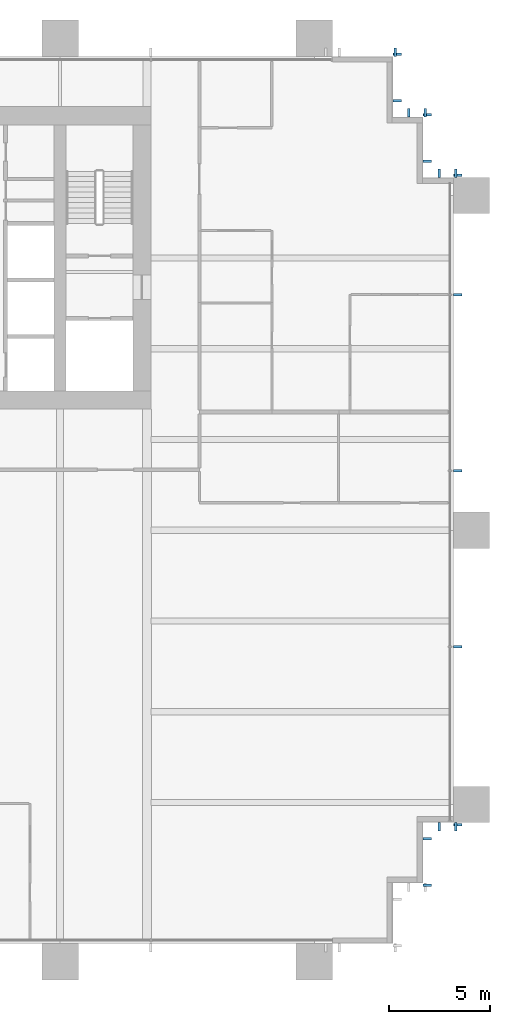
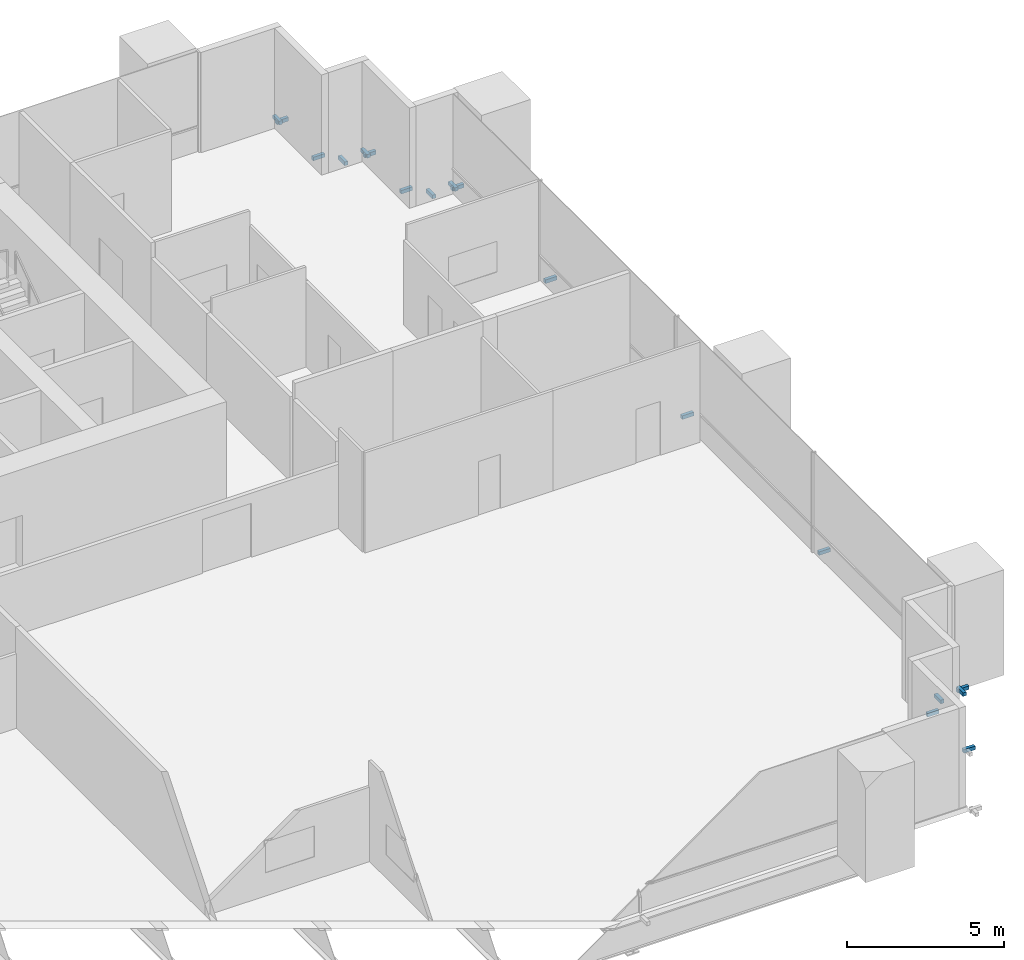
# One storey, part 16 of 17: 18 discrete accessories.
"""IFC4 building model written with IfcOpenShell, lengths in metres."""

from ifc_helpers import new_model, si_unit, direction, frame, origin, origin_2d, place, context, subcontext, project, spatial, rectangle, extrude, element, save


model = new_model("IFC4")

# Units and contexts
model_context = context("Model", 3, precision=1e-05, world=origin(), true_north=direction((0.0, 1.0)))
body_context = subcontext(model_context, "Body", "Model", "MODEL_VIEW")
ifc_project = project(units=[si_unit("LENGTHUNIT", "METRE"), si_unit("AREAUNIT", "SQUARE_METRE"), si_unit("VOLUMEUNIT", "CUBIC_METRE"), si_unit("PLANEANGLEUNIT", "RADIAN"), si_unit("MASSUNIT", "GRAM", prefix="KILO")], contexts=[model_context])

# Site, building, storey
site_placement = place(None, origin())
site = spatial("IfcSite", under=ifc_project, at=site_placement, CompositionType="ELEMENT")
building_placement = place(site_placement, origin())
building = spatial("IfcBuilding", under=site, at=building_placement, Name="Rattan Terrace Tower", CompositionType="ELEMENT")
storey_placement = place(building_placement, frame((0.0, 0.0, 48.800048828125)))
storey = spatial("IfcBuildingStorey", under=building, at=storey_placement, Name="L10", CompositionType="ELEMENT", Elevation=48.800048828125)

# Discrete accessories
for number, where, z_axis, x_axis, name in (
    (1, (31.7099609375, -31.110107421875, -0.169921875), (0.0, 0.0, 1.0), (0.0, 1.0, 0.0), "Panel bracket L10-7"),
    (2, (31.7099609375, -28.7900390625, -0.169921875), (0.0, 0.0, 1.0), (0.0, 1.0, 0.0), "Panel bracket L10-8"),
    (3, (32.2900390625, -28.2099609375, -0.169921875), (0.0, 0.0, 1.0), (1.0, 0.0, 0.0), "Panel bracket L10-9"),
    (4, (33.110107421875, -28.2099609375, -0.169921875), (0.0, 0.0, 1.0), (1.0, 0.0, 0.0), "Panel bracket L10-10"),
    (5, (33.2099609375, -28.110107421875, -0.169921875), (0.0, 0.0, 1.0), (0.0, 1.0, 0.0), "Panel bracket L10-11"),
    (6, (33.2099609375, -19.27294921875, -0.169921875), (0.0, 0.0, 1.0), (0.0, 1.0, 0.0), "Panel bracket L10-12"),
    (7, (33.2099609375, -10.5458984375, -0.169921875), (0.0, 0.0, 1.0), (0.0, 1.0, 0.0), "Panel bracket L10-13"),
    (8, (33.2099609375, -1.819091796875, -0.169921875), (0.0, 0.0, 1.0), (0.0, 1.0, 0.0), "Panel bracket L10-14"),
    (9, (33.2099609375, 4.110107421875, -0.169921875), (0.0, 0.0, 1.0), (0.0, 1.0, 0.0), "Panel bracket L10-15"),
    (10, (33.110107421875, 4.2099609375, -0.169921875), (0.0, 0.0, 1.0), (-1.0, 0.0, 0.0), "Panel bracket L10-16"),
    (11, (32.2900390625, 4.2099609375, -0.169921875), (0.0, 0.0, 1.0), (-1.0, 0.0, 0.0), "Panel bracket L10-17"),
    (12, (31.7099609375, 4.7900390625, -0.169921875), (0.0, 0.0, 1.0), (0.0, 1.0, 0.0), "Panel bracket L10-18"),
    (13, (31.7099609375, 7.110107421875, -0.169921875), (0.0, 0.0, 1.0), (0.0, 1.0, 0.0), "Panel bracket L10-19"),
    (14, (31.610107421875, 7.2099609375, -0.169921875), (0.0, 0.0, 1.0), (-1.0, 0.0, 0.0), "Panel bracket L10-20"),
    (15, (30.7900390625, 7.2099609375, -0.169921875), (0.0, 0.0, 1.0), (-1.0, 0.0, 0.0), "Panel bracket L10-21"),
    (16, (30.2099609375, 7.7900390625, -0.169921875), (0.0, 0.0, 1.0), (0.0, 1.0, 0.0), "Panel bracket L10-22"),
    (17, (30.2099609375, 10.110107421875, -0.169921875), (0.0, 0.0, 1.0), (0.0, 1.0, 0.0), "Panel bracket L10-23"),
    (18, (30.110107421875, 10.2099609375, -0.169921875), (0.0, 0.0, 1.0), (-1.0, 0.0, 0.0), "Panel bracket L10-24"),
):
    element("IfcDiscreteAccessory", number, at=place(storey_placement, frame(where, z_axis=z_axis, x_axis=x_axis)), inside=storey, Name=name, PredefinedType="BRACKET", context=body_context, shape_type="SweptSolid", body=[
        extrude(rectangle(XDim=0.1201171875, YDim=0.419921875, at=origin_2d()), origin(), (0.0, 0.0, 1.0), 0.139892578125),
    ])

save(model, "model.ifc")
